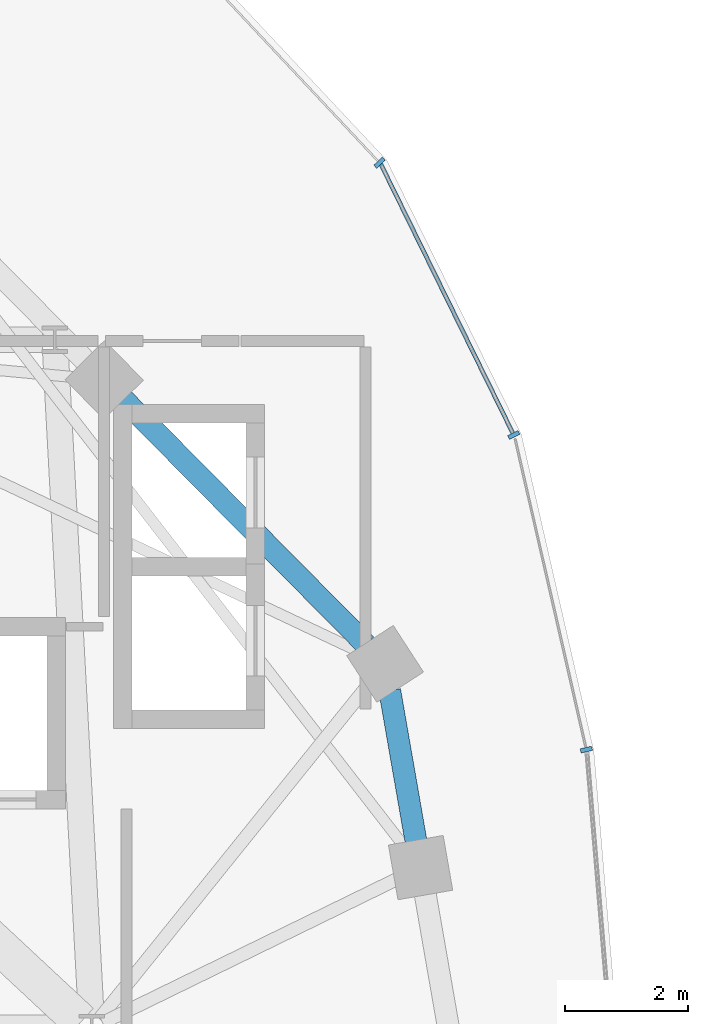
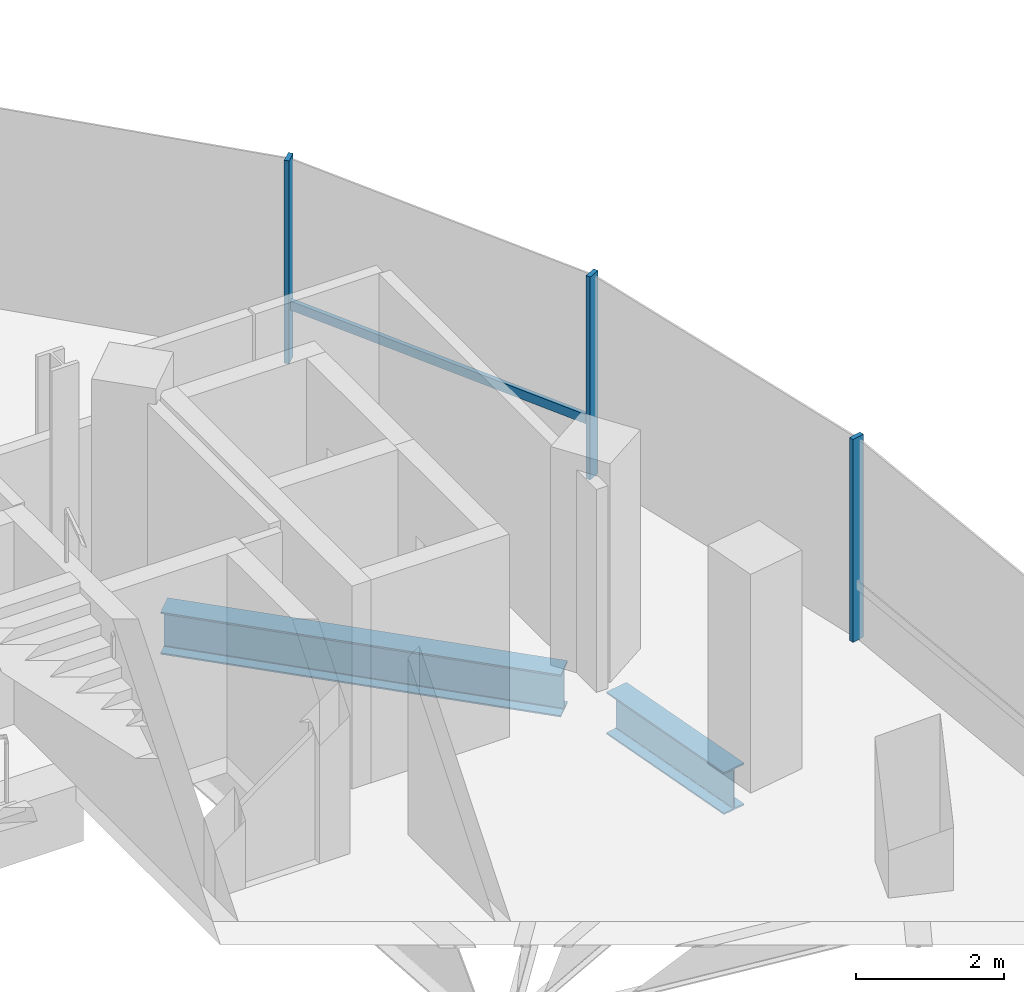
# One storey, part 7 of 24: 4 members, 2 beams, 1 element without a shape of its own.
"""IFC4 building model written with IfcOpenShell, lengths in metres."""

from ifc_helpers import new_model, si_unit, direction, frame, origin, origin_2d, place, context, subcontext, project, spatial, rectangle, i_section, extrude, material, material_profile, profile_set, type_object, element, aggregate, save


model = new_model("IFC4")

# Units and contexts
model_context = context("Model", 3, precision=1e-05, world=origin(), true_north=direction((0.0, 1.0)))
body_context = subcontext(model_context, "Body", "Model", "MODEL_VIEW")
ifc_project = project(units=[si_unit("LENGTHUNIT", "METRE"), si_unit("AREAUNIT", "SQUARE_METRE"), si_unit("VOLUMEUNIT", "CUBIC_METRE"), si_unit("PLANEANGLEUNIT", "RADIAN"), si_unit("MASSUNIT", "GRAM", prefix="KILO"), si_unit("THERMODYNAMICTEMPERATUREUNIT", "KELVIN"), si_unit("POWERUNIT", "WATT")], contexts=[model_context])

# Site, building, storey
site_placement = place(None, origin())
site = spatial("IfcSite", under=ifc_project, at=site_placement, CompositionType="ELEMENT")
building_placement = place(site_placement, origin())
building = spatial("IfcBuilding", under=site, at=building_placement, Name="Cundina Bronze Exchange", CompositionType="ELEMENT")
storey_placement = place(building_placement, frame((0.0, 0.0, 227.800048828125)))
storey = spatial("IfcBuildingStorey", under=building, at=storey_placement, Name="L60", CompositionType="ELEMENT", Elevation=227.800048828125)

# Beams
ifc_material_1 = material(Name="Steel ASTM A992 Grade 50", Category="steel")
ifc_material_profile_1 = material_profile(ifc_material_1, i_section(OverallWidth=0.35498046875, OverallDepth=0.695068359375, WebThickness=0.015380859375, FlangeThickness=0.02490234375, FilletRadius=0.01806640625, at=origin_2d()), Name="W27X146", Category="steel")
ifc_profile_set_1 = profile_set([ifc_material_profile_1], Name="Steel ASTM A992 Grade 50")
beam_type = type_object("IfcBeamType", Name="BM-RING-W27", PredefinedType="USERDEFINED", material=ifc_profile_set_1)
beam_1_placement = place(storey_placement, frame((-16.2001953125, 6.931396484375, -0.607666015625), z_axis=(-0.171628556628, 0.985161732179, 0.0), x_axis=(-0.985161732179, -0.171628556628, 0.0)))
element("IfcBeam", 1, at=beam_1_placement, inside=storey, type_object=beam_type, Name="L60 W Perimeter Ring Girder 01", ObjectType="GIRDER", PredefinedType="USERDEFINED", context=body_context, shape_type="SweptSolid", body=[
    extrude(i_section(OverallWidth=0.35498046875, OverallDepth=0.695068359375, WebThickness=0.015380859375, FlangeThickness=0.02490234375, FilletRadius=0.01806640625, at=origin_2d()), origin(), (0.0, 0.0, 1.0), 2.4736328125),
])
beam_2_placement = place(storey_placement, frame((-17.008056640625, 10.111328125, -0.607666015625), z_axis=(-0.703211928763, 0.710980297368, 0.0), x_axis=(-0.710980297368, -0.703211928763, 0.0)))
element("IfcBeam", 2, at=beam_2_placement, inside=storey, type_object=beam_type, Name="L60 W Perimeter Ring Girder 02", ObjectType="GIRDER", PredefinedType="USERDEFINED", context=body_context, shape_type="SweptSolid", body=[
    extrude(i_section(OverallWidth=0.35498046875, OverallDepth=0.695068359375, WebThickness=0.015380859375, FlangeThickness=0.02490234375, FilletRadius=0.01806640625, at=origin_2d()), origin(), (0.0, 0.0, 1.0), 5.593994140625),
])

# Curtain wall, members
ifc_material_2 = material(Name="Anodised Bronze Aluminium 6063-T6", Category="aluminium")
curtain_wall_type = type_object("IfcCurtainWallType", Name="CWS-UPP-OFF", PredefinedType="NOTDEFINED", material=ifc_material_2)
curtain_wall_placement = place(storey_placement, origin())
curtain_wall = element("IfcCurtainWall", 3, at=curtain_wall_placement, inside=storey, type_object=curtain_wall_type, Name="L60 CW-05 Curtain Wall Run CWR-L60-W1", PredefinedType="NOTDEFINED")
ifc_material_profile_2 = material_profile(ifc_material_2, rectangle(XDim=0.070068359375, YDim=0.18994140625, at=origin_2d()), Name="AL70X190", Category="aluminium")
ifc_profile_set_2 = profile_set([ifc_material_profile_2], Name="Anodised Bronze Aluminium 6063-T6")
member_type_1 = type_object("IfcMemberType", Name="CWM-MUL-190", PredefinedType="MULLION", material=ifc_profile_set_2)
member_1_placement = place(storey_placement, frame((-13.43994140625, 8.4111328125, 0.0), z_axis=(0.0, 0.0, 1.0), x_axis=(-0.223250116011, 0.974761194191, 0.0)))
member_1 = element("IfcMember", 4, at=member_1_placement, type_object=member_type_1, Name="CW-05 Mullion 2", PredefinedType="MULLION", context=body_context, shape_type="SweptSolid", body=[
    extrude(rectangle(XDim=0.070068359375, YDim=0.18994140625, at=origin_2d()), origin(), (0.0, 0.0, 1.0), 3.33984375),
])
member_2_placement = place(storey_placement, frame((-14.61572265625, 13.50732421875, 0.0), z_axis=(0.0, 0.0, 1.0), x_axis=(-0.440566004113, 0.897720221461, 0.0)))
member_2 = element("IfcMember", 5, at=member_2_placement, type_object=member_type_1, Name="CW-05 Mullion 3", PredefinedType="MULLION", context=body_context, shape_type="SweptSolid", body=[
    extrude(rectangle(XDim=0.070068359375, YDim=0.18994140625, at=origin_2d()), origin(), (0.0, 0.0, 1.0), 3.33984375),
])
member_3_placement = place(storey_placement, frame((-16.790283203125, 17.91796875, 0.0), z_axis=(0.0, 0.0, 1.0), x_axis=(-0.684292606175, 0.729207535023, 0.0)))
member_3 = element("IfcMember", 6, at=member_3_placement, type_object=member_type_1, Name="CW-05 Mullion 4", PredefinedType="MULLION", context=body_context, shape_type="SweptSolid", body=[
    extrude(rectangle(XDim=0.070068359375, YDim=0.18994140625, at=origin_2d()), origin(), (0.0, 0.0, 1.0), 3.33984375),
])
ifc_material_profile_3 = material_profile(ifc_material_2, rectangle(XDim=0.06494140625, YDim=0.14990234375, at=origin_2d()), Name="AL65X150", Category="aluminium")
ifc_profile_set_3 = profile_set([ifc_material_profile_3], Name="Anodised Bronze Aluminium 6063-T6")
member_type_2 = type_object("IfcMemberType", Name="CWM-TRN-150", PredefinedType="USERDEFINED", material=ifc_profile_set_3)
member_4_placement = place(storey_placement, frame((-14.6328125, 13.5419921875, 0.919921875), z_axis=(-0.440483110889, 0.897760897467, 0.0), x_axis=(-0.897760897467, -0.440483110889, 0.0)))
member_4 = element("IfcMember", 7, at=member_4_placement, type_object=member_type_2, Name="CW-05 Spandrel Transom 3", ObjectType="TRANSOM", PredefinedType="USERDEFINED", context=body_context, shape_type="SweptSolid", body=[
    extrude(rectangle(XDim=0.06494140625, YDim=0.14990234375, at=origin_2d()), origin(), (0.0, 0.0, 1.0), 4.855224609375),
])
aggregate(curtain_wall, [member_1, member_2, member_4, member_3])

save(model, "model.ifc")
